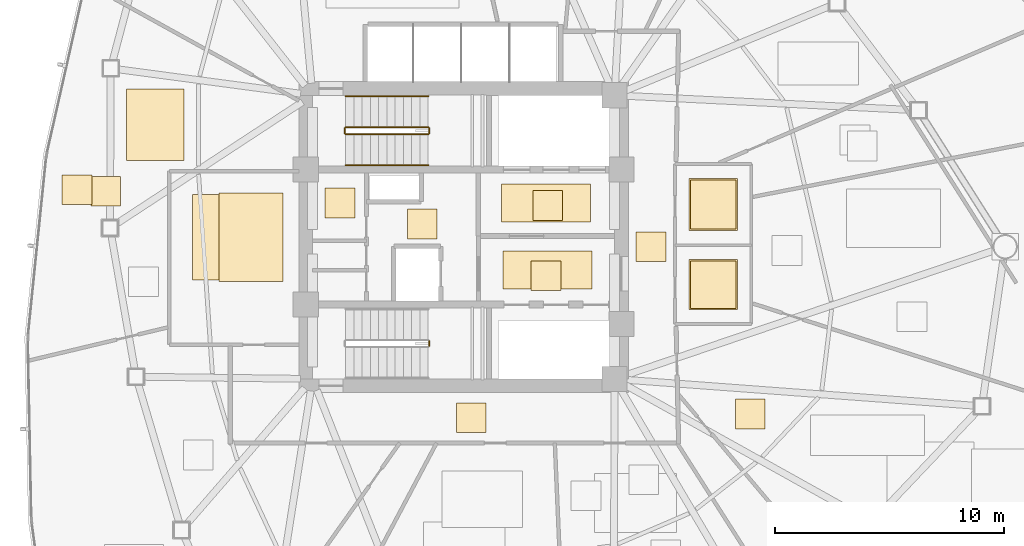
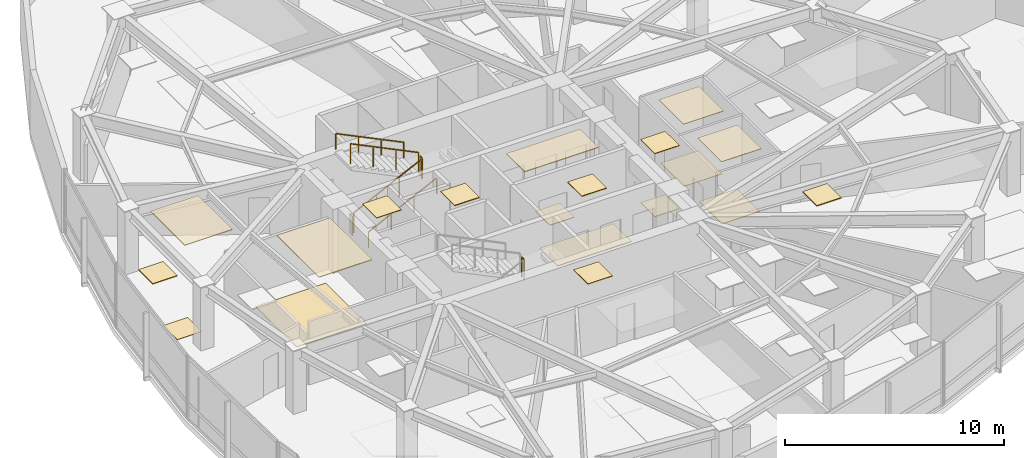
# One storey, part 15 of 17: 19 coverings, 7 railings.
"""IFC4 building model written with IfcOpenShell, lengths in metres."""

from ifc_helpers import new_model, si_unit, direction, frame, origin, origin_2d, place, context, subcontext, project, spatial, polyline, rectangle, outline, extrude, material, layer, layer_set, type_object, element, save


model = new_model("IFC4")

# Units and contexts
model_context = context("Model", 3, precision=1e-05, world=origin(), true_north=direction((0.0, 1.0)))
body_context = subcontext(model_context, "Body", "Model", "MODEL_VIEW")
ifc_project = project(units=[si_unit("LENGTHUNIT", "METRE"), si_unit("AREAUNIT", "SQUARE_METRE"), si_unit("VOLUMEUNIT", "CUBIC_METRE"), si_unit("PLANEANGLEUNIT", "RADIAN"), si_unit("MASSUNIT", "GRAM", prefix="KILO")], contexts=[model_context])

# Site, building, storey
site_placement = place(None, origin())
site = spatial("IfcSite", under=ifc_project, at=site_placement, CompositionType="ELEMENT")
building_placement = place(site_placement, origin())
building = spatial("IfcBuilding", under=site, at=building_placement, Name="Tavelor Broadcast Tower", CompositionType="ELEMENT")
storey_placement = place(building_placement, frame((0.0, 0.0, 119.449951171875)))
storey = spatial("IfcBuildingStorey", under=building, at=storey_placement, Name="L27", CompositionType="ELEMENT", Elevation=119.449951171875)

# Coverings
ifc_material_1 = material(Name="Copper-Bronze Anodized Aluminium", Category="aluminium")
ifc_layer_1 = layer(ifc_material_1, 0.044921875)
ifc_layer_set_1 = layer_set([ifc_layer_1], Name="Copper-Bronze Anodized Aluminium")
covering_type_1 = type_object("IfcCoveringType", Name="Anodised Bronze Linear Slatted Concourse Ceiling 45 mm", PredefinedType="CEILING", material=ifc_layer_set_1)
covering_1_placement = place(storey_placement, frame((0.0, 0.0, 3.505126953125)))
element("IfcCovering", 1, at=covering_1_placement, inside=storey, type_object=covering_type_1, Name="L27 Suspended Acoustic Ceiling 1048", PredefinedType="CEILING", context=body_context, shape_type="SweptSolid", body=[
    extrude(outline(polyline([(51.659912109375, 45.654296875), (55.55712890625, 45.654296875), (55.55712890625, 47.331787109375), (51.659912109375, 47.331787109375), (51.659912109375, 45.654296875)])), origin(), (0.0, 0.0, 1.0), 0.044921875),
])
covering_2_placement = place(storey_placement, frame((0.0, 0.0, 3.505126953125)))
element("IfcCovering", 2, at=covering_2_placement, inside=storey, type_object=covering_type_1, Name="L27 Suspended Acoustic Ceiling 1049", PredefinedType="CEILING", context=body_context, shape_type="SweptSolid", body=[
    extrude(outline(polyline([(52.95361328125, 42.656982421875), (54.25341796875, 42.656982421875), (54.25341796875, 43.95703125), (52.95361328125, 43.95703125), (52.95361328125, 42.656982421875)])), origin(), (0.0, 0.0, 1.0), 0.044921875),
])
covering_3_placement = place(storey_placement, frame((0.0, 0.0, 3.505126953125)))
element("IfcCovering", 3, at=covering_3_placement, inside=storey, type_object=covering_type_1, Name="L27 Suspended Acoustic Ceiling 1050", PredefinedType="CEILING", context=body_context, shape_type="SweptSolid", body=[
    extrude(outline(polyline([(47.544921875, 44.919921875), (48.844970703125, 44.919921875), (48.844970703125, 46.219970703125), (47.544921875, 46.219970703125), (47.544921875, 44.919921875)])), origin(), (0.0, 0.0, 1.0), 0.044921875),
])

# Railings
ifc_material_2 = material(Name="Steel S355", Category="steel")
railing_type_1 = type_object("IfcRailingType", Name="Continuous Brushed Stainless Handrail 900 mm", PredefinedType="HANDRAIL", material=ifc_material_2)
railing_1_placement = place(storey_placement, frame((44.85009765625, 48.14990234375, 0.175048828125)))
element("IfcRailing", 4, at=railing_1_placement, inside=storey, type_object=railing_type_1, Name="L27 ST1 stair handrail 1", PredefinedType="HANDRAIL", context=body_context, shape_type="SweptSolid", body=[
    extrude(rectangle(XDim=0.048095703125, YDim=0.048095703125, at=origin_2d()), frame((0.0, 0.0, 0.8759765625), z_axis=(0.899360859046, 0.0, 0.437207096483), x_axis=(0.0, 1.0, 0.0)), (0.0, 0.0, 1.0), 4.002685546875),
    extrude(rectangle(XDim=0.0419921875, YDim=0.0419921875, at=origin_2d()), origin(), (0.0, 0.0, 1.0), 0.851806640625),
    extrude(rectangle(XDim=0.0419921875, YDim=0.0419921875, at=origin_2d()), frame((1.199951171875, 0.0, 0.583251953125)), (0.0, 0.0, 1.0), 0.851806640625),
    extrude(rectangle(XDim=0.0419921875, YDim=0.0419921875, at=origin_2d()), frame((2.39990234375, 0.0, 1.166748046875)), (0.0, 0.0, 1.0), 0.851806640625),
    extrude(rectangle(XDim=0.0419921875, YDim=0.0419921875, at=origin_2d()), frame((3.599853515625, 0.0, 1.75)), (0.0, 0.0, 1.0), 0.851806640625),
])
railing_2_placement = place(storey_placement, frame((48.449951171875, 51.14990234375, 2.10009765625)))
element("IfcRailing", 5, at=railing_2_placement, inside=storey, type_object=railing_type_1, Name="L27 ST1 stair handrail 2", PredefinedType="HANDRAIL", context=body_context, shape_type="SweptSolid", body=[
    extrude(rectangle(XDim=0.048095703125, YDim=0.048095703125, at=origin_2d()), frame((0.0, 0.0, 0.8759765625), z_axis=(-0.899360859046, 0.0, 0.437207096483), x_axis=(0.0, -1.0, 0.0)), (0.0, 0.0, 1.0), 4.002685546875),
    extrude(rectangle(XDim=0.0419921875, YDim=0.0419921875, at=origin_2d()), origin(), (0.0, 0.0, 1.0), 0.851806640625),
    extrude(rectangle(XDim=0.0419921875, YDim=0.0419921875, at=origin_2d()), frame((-1.199951171875, 0.0, 0.583251953125)), (0.0, 0.0, 1.0), 0.851806640625),
    extrude(rectangle(XDim=0.0419921875, YDim=0.0419921875, at=origin_2d()), frame((-2.39990234375, 0.0, 1.166748046875)), (0.0, 0.0, 1.0), 0.851806640625),
    extrude(rectangle(XDim=0.0419921875, YDim=0.0419921875, at=origin_2d()), frame((-3.599853515625, 0.0, 1.75)), (0.0, 0.0, 1.0), 0.851806640625),
])

# Coverings
ifc_material_3 = material(Name="Architectural Anodized Aluminium", Category="aluminium")
ifc_layer_2 = layer(ifc_material_3, 0.034912109375)
ifc_layer_set_2 = layer_set([ifc_layer_2], Name="Architectural Anodized Aluminium")
covering_type_2 = type_object("IfcCoveringType", Name="Demountable Metal Tile Corridor Ceiling 35 mm", PredefinedType="CEILING", material=ifc_layer_set_2)
covering_4_placement = place(storey_placement, frame((0.0, 0.0, 3.51513671875)))
element("IfcCovering", 6, at=covering_4_placement, inside=storey, type_object=covering_type_2, Name="L27 Suspended Acoustic Ceiling 1052", PredefinedType="CEILING", context=body_context, shape_type="SweptSolid", body=[
    extrude(outline(polyline([(57.5400390625, 43.925048828125), (58.840087890625, 43.925048828125), (58.840087890625, 45.22509765625), (57.5400390625, 45.22509765625), (57.5400390625, 43.925048828125)])), origin(), (0.0, 0.0, 1.0), 0.034912109375),
])
covering_5_placement = place(storey_placement, frame((0.0, 0.0, 3.51513671875)))
element("IfcCovering", 7, at=covering_5_placement, inside=storey, type_object=covering_type_2, Name="L27 Suspended Acoustic Ceiling 1053", PredefinedType="CEILING", context=body_context, shape_type="SweptSolid", body=[
    extrude(outline(polyline([(49.689208984375, 36.449951171875), (50.9892578125, 36.449951171875), (50.9892578125, 37.75), (49.689208984375, 37.75), (49.689208984375, 36.449951171875)])), origin(), (0.0, 0.0, 1.0), 0.034912109375),
])
ifc_material_4 = material(Name="Acoustic Nylon Carpet Tile")
ifc_layer_3 = layer(ifc_material_4, 0.02001953125)
ifc_layer_set_3 = layer_set([ifc_layer_3], Name="Acoustic Nylon Carpet Tile")
covering_type_3 = type_object("IfcCoveringType", Name="Heavy-Duty Acoustic Broadcast Carpet Tile 20 mm", PredefinedType="FLOORING", material=ifc_layer_set_3)
covering_6_placement = place(storey_placement, origin())
element("IfcCovering", 8, at=covering_6_placement, inside=storey, type_object=covering_type_3, Name="L27 Broadcast Floor Finish 0368", PredefinedType="FLOORING", context=body_context, shape_type="SweptSolid", body=[
    extrude(outline(polyline([(57.5400390625, 43.925048828125), (58.840087890625, 43.925048828125), (58.840087890625, 45.22509765625), (57.5400390625, 45.22509765625), (57.5400390625, 43.925048828125)])), origin(), (0.0, 0.0, 1.0), 0.02001953125),
])
covering_7_placement = place(storey_placement, origin())
element("IfcCovering", 9, at=covering_7_placement, inside=storey, type_object=covering_type_3, Name="L27 Broadcast Floor Finish 0369", PredefinedType="FLOORING", context=body_context, shape_type="SweptSolid", body=[
    extrude(outline(polyline([(38.143798828125, 43.12890625), (41.856201171875, 43.12890625), (41.856201171875, 46.87060546875), (38.143798828125, 46.87060546875), (38.143798828125, 43.12890625)])), origin(), (0.0, 0.0, 1.0), 0.02001953125),
])
covering_8_placement = place(storey_placement, origin())
element("IfcCovering", 10, at=covering_8_placement, inside=storey, type_object=covering_type_3, Name="L27 Broadcast Floor Finish 0376", PredefinedType="FLOORING", context=body_context, shape_type="SweptSolid", body=[
    extrude(outline(polyline([(33.70751953125, 46.3603515625), (35.00732421875, 46.3603515625), (35.00732421875, 47.660400390625), (33.70751953125, 47.660400390625), (33.70751953125, 46.3603515625)])), origin(), (0.0, 0.0, 1.0), 0.02001953125),
])
ifc_material_5 = material(Name="Honed Natural Limestone Tile", Category="masonry")
ifc_layer_4 = layer(ifc_material_5, 0.030029296875)
ifc_layer_set_4 = layer_set([ifc_layer_4], Name="Honed Natural Limestone Tile")
covering_type_4 = type_object("IfcCoveringType", Name="Honed Jerusalem Limestone Concourse Flooring 30 mm", PredefinedType="FLOORING", material=ifc_layer_set_4)
covering_9_placement = place(storey_placement, origin())
element("IfcCovering", 11, at=covering_9_placement, inside=storey, type_object=covering_type_4, Name="L27 Broadcast Floor Finish 0366", PredefinedType="FLOORING", context=body_context, shape_type="SweptSolid", body=[
    extrude(outline(polyline([(53.030029296875, 45.728515625), (54.330078125, 45.728515625), (54.330078125, 47.028564453125), (53.030029296875, 47.028564453125), (53.030029296875, 45.728515625)])), origin(), (0.0, 0.0, 1.0), 0.030029296875),
])
covering_10_placement = place(storey_placement, origin())
element("IfcCovering", 12, at=covering_10_placement, inside=storey, type_object=covering_type_4, Name="L27 Broadcast Floor Finish 0367", PredefinedType="FLOORING", context=body_context, shape_type="SweptSolid", body=[
    extrude(outline(polyline([(51.728759765625, 42.743408203125), (55.62109375, 42.743408203125), (55.62109375, 44.396484375), (51.728759765625, 44.396484375), (51.728759765625, 42.743408203125)])), origin(), (0.0, 0.0, 1.0), 0.030029296875),
])
ifc_layer_5 = layer(ifc_material_3, 0.030029296875)
ifc_layer_set_5 = layer_set([ifc_layer_5], Name="Architectural Anodized Aluminium")
covering_type_5 = type_object("IfcCoveringType", Name="Moisture-Resistant Washroom Ceiling 30 mm", PredefinedType="CEILING", material=ifc_layer_set_5)
covering_11_placement = place(storey_placement, frame((0.0, 0.0, 3.52001953125)))
element("IfcCovering", 13, at=covering_11_placement, inside=storey, type_object=covering_type_5, Name="L27 Suspended Acoustic Ceiling 1051", PredefinedType="CEILING", context=body_context, shape_type="SweptSolid", body=[
    extrude(outline(polyline([(43.951416015625, 45.843017578125), (45.25146484375, 45.843017578125), (45.25146484375, 47.14306640625), (43.951416015625, 47.14306640625), (43.951416015625, 45.843017578125)])), origin(), (0.0, 0.0, 1.0), 0.030029296875),
])
covering_12_placement = place(storey_placement, frame((0.0, 0.0, 3.52001953125)))
element("IfcCovering", 14, at=covering_12_placement, inside=storey, type_object=covering_type_5, Name="L27 Suspended Acoustic Ceiling 1055", PredefinedType="CEILING", context=body_context, shape_type="SweptSolid", body=[
    extrude(outline(polyline([(59.85302734375, 41.828369140625), (61.967041015625, 41.828369140625), (61.967041015625, 44.021484375), (59.85302734375, 44.021484375), (59.85302734375, 41.828369140625)])), origin(), (0.0, 0.0, 1.0), 0.030029296875),
])
covering_13_placement = place(storey_placement, frame((0.0, 0.0, 3.52001953125)))
element("IfcCovering", 15, at=covering_13_placement, inside=storey, type_object=covering_type_5, Name="L27 Suspended Acoustic Ceiling 1056", PredefinedType="CEILING", context=body_context, shape_type="SweptSolid", body=[
    extrude(outline(polyline([(59.85302734375, 45.29248046875), (61.967041015625, 45.29248046875), (61.967041015625, 47.5576171875), (59.85302734375, 47.5576171875), (59.85302734375, 45.29248046875)])), origin(), (0.0, 0.0, 1.0), 0.030029296875),
])
ifc_material_6 = material(Name="Slip-Resistant Porcelain Tile")
ifc_layer_6 = layer(ifc_material_6, 0.02490234375)
ifc_layer_set_6 = layer_set([ifc_layer_6], Name="Slip-Resistant Porcelain Tile")
covering_type_6 = type_object("IfcCoveringType", Name="Slip-Resistant Porcelain Wet-Area Floor Tile 25 mm", PredefinedType="FLOORING", material=ifc_layer_set_6)
covering_14_placement = place(storey_placement, origin())
element("IfcCovering", 16, at=covering_14_placement, inside=storey, type_object=covering_type_6, Name="L27 Broadcast Floor Finish 0370", PredefinedType="FLOORING", context=body_context, shape_type="SweptSolid", body=[
    extrude(outline(polyline([(59.91064453125, 41.885986328125), (61.909423828125, 41.885986328125), (61.909423828125, 43.964111328125), (59.91064453125, 43.964111328125), (59.91064453125, 41.885986328125)])), origin(), (0.0, 0.0, 1.0), 0.025146484375),
])
covering_15_placement = place(storey_placement, origin())
element("IfcCovering", 17, at=covering_15_placement, inside=storey, type_object=covering_type_6, Name="L27 Broadcast Floor Finish 0371", PredefinedType="FLOORING", context=body_context, shape_type="SweptSolid", body=[
    extrude(outline(polyline([(59.91064453125, 45.35009765625), (61.909423828125, 45.35009765625), (61.909423828125, 47.5), (59.91064453125, 47.5), (59.91064453125, 45.35009765625)])), origin(), (0.0, 0.0, 1.0), 0.025146484375),
])

# Railings
railing_type_2 = type_object("IfcRailingType", Name="Stairwell Steel Safety Guardrail 1150 mm", PredefinedType="GUARDRAIL", material=ifc_material_2)
railing_3_placement = place(storey_placement, frame((44.85009765625, 49.5, 0.175048828125)))
element("IfcRailing", 18, at=railing_3_placement, inside=storey, type_object=railing_type_2, Name="L27 ST1 stair guard 1", PredefinedType="GUARDRAIL", context=body_context, shape_type="SweptSolid", body=[
    extrude(rectangle(XDim=0.048095703125, YDim=0.048095703125, at=origin_2d()), frame((0.0, 0.0, 1.1259765625), z_axis=(0.899360859046, 0.0, 0.437207096483), x_axis=(0.0, 1.0, 0.0)), (0.0, 0.0, 1.0), 4.002685546875),
    extrude(rectangle(XDim=0.0419921875, YDim=0.0419921875, at=origin_2d()), origin(), (0.0, 0.0, 1.0), 1.101806640625),
    extrude(rectangle(XDim=0.0419921875, YDim=0.0419921875, at=origin_2d()), frame((1.199951171875, 0.0, 0.583251953125)), (0.0, 0.0, 1.0), 1.101806640625),
    extrude(rectangle(XDim=0.0419921875, YDim=0.0419921875, at=origin_2d()), frame((2.39990234375, 0.0, 1.166748046875)), (0.0, 0.0, 1.0), 1.101806640625),
    extrude(rectangle(XDim=0.0419921875, YDim=0.0419921875, at=origin_2d()), frame((3.599853515625, 0.0, 1.75)), (0.0, 0.0, 1.0), 1.101806640625),
])
railing_4_placement = place(storey_placement, frame((48.5, 49.550048828125, 1.925048828125)))
element("IfcRailing", 19, at=railing_4_placement, inside=storey, type_object=railing_type_2, Name="L27 ST1 stair guard 2", PredefinedType="GUARDRAIL", context=body_context, shape_type="SweptSolid", body=[
    extrude(rectangle(XDim=0.048095703125, YDim=0.048095703125, at=origin_2d()), frame((0.0, 0.0, 1.1259765625), z_axis=(0.0, 1.0, 0.0), x_axis=(-1.0, 0.0, 0.0)), (0.0, 0.0, 1.0), 0.199951171875),
    extrude(rectangle(XDim=0.0419921875, YDim=0.0419921875, at=origin_2d()), origin(), (0.0, 0.0, 1.0), 1.101806640625),
    extrude(rectangle(XDim=0.0419921875, YDim=0.0419921875, at=origin_2d()), frame((0.0, 0.199951171875, 0.0)), (0.0, 0.0, 1.0), 1.101806640625),
])
railing_5_placement = place(storey_placement, frame((48.449951171875, 49.800048828125, 2.10009765625)))
element("IfcRailing", 20, at=railing_5_placement, inside=storey, type_object=railing_type_2, Name="L27 ST1 stair guard 3", PredefinedType="GUARDRAIL", context=body_context, shape_type="SweptSolid", body=[
    extrude(rectangle(XDim=0.048095703125, YDim=0.048095703125, at=origin_2d()), frame((0.0, 0.0, 1.1259765625), z_axis=(-0.899360859046, 0.0, 0.437207096483), x_axis=(0.0, -1.0, 0.0)), (0.0, 0.0, 1.0), 4.002685546875),
    extrude(rectangle(XDim=0.0419921875, YDim=0.0419921875, at=origin_2d()), origin(), (0.0, 0.0, 1.0), 1.101806640625),
    extrude(rectangle(XDim=0.0419921875, YDim=0.0419921875, at=origin_2d()), frame((-1.199951171875, 0.0, 0.583251953125)), (0.0, 0.0, 1.0), 1.101806640625),
    extrude(rectangle(XDim=0.0419921875, YDim=0.0419921875, at=origin_2d()), frame((-2.39990234375, 0.0, 1.166748046875)), (0.0, 0.0, 1.0), 1.101806640625),
    extrude(rectangle(XDim=0.0419921875, YDim=0.0419921875, at=origin_2d()), frame((-3.599853515625, 0.0, 1.75)), (0.0, 0.0, 1.0), 1.101806640625),
])
for number, where, name in (
    (21, (44.800048828125, 49.550048828125, 0.0), "L27 ST1 stair guard 4"),
    (22, (48.5, 40.25, 1.925048828125), "L27 ST2 stair guard 2"),
):
    element("IfcRailing", number, at=place(storey_placement, frame(where)), inside=storey, type_object=railing_type_2, Name=name, PredefinedType="GUARDRAIL", context=body_context, shape_type="SweptSolid", body=[
        extrude(rectangle(XDim=0.048095703125, YDim=0.048095703125, at=origin_2d()), frame((0.0, 0.0, 1.1259765625), z_axis=(0.0, 1.0, 0.0), x_axis=(-1.0, 0.0, 0.0)), (0.0, 0.0, 1.0), 0.199951171875),
        extrude(rectangle(XDim=0.0419921875, YDim=0.0419921875, at=origin_2d()), origin(), (0.0, 0.0, 1.0), 1.101806640625),
        extrude(rectangle(XDim=0.0419921875, YDim=0.0419921875, at=origin_2d()), frame((0.0, 0.199951171875, 0.0)), (0.0, 0.0, 1.0), 1.101806640625),
    ])

# Coverings
ifc_material_7 = material(Name="Acoustic Mineral Fibre Tile")
ifc_layer_7 = layer(ifc_material_7, 0.0400390625)
ifc_layer_set_7 = layer_set([ifc_layer_7], Name="Acoustic Mineral Fibre Tile")
covering_type_7 = type_object("IfcCoveringType", Name="Suspended Acoustic Mineral-Fibre Office Ceiling 40 mm", PredefinedType="CEILING", material=ifc_layer_set_7)
covering_16_placement = place(storey_placement, frame((0.0, 0.0, 3.510009765625)))
element("IfcCovering", 23, at=covering_16_placement, inside=storey, type_object=covering_type_7, Name="L27 Suspended Acoustic Ceiling 1054", PredefinedType="CEILING", context=body_context, shape_type="SweptSolid", body=[
    extrude(outline(polyline([(39.2998046875, 43.0712890625), (42.111328125, 43.0712890625), (42.111328125, 46.927978515625), (39.2998046875, 46.927978515625), (39.2998046875, 43.0712890625)])), origin(), (0.0, 0.0, 1.0), 0.0400390625),
])
covering_17_placement = place(storey_placement, frame((0.0, 0.0, 3.510009765625)))
element("IfcCovering", 24, at=covering_17_placement, inside=storey, type_object=covering_type_7, Name="L27 Suspended Acoustic Ceiling 1058", PredefinedType="CEILING", context=body_context, shape_type="SweptSolid", body=[
    extrude(outline(polyline([(61.876708984375, 36.61474609375), (63.1767578125, 36.61474609375), (63.1767578125, 37.914794921875), (61.876708984375, 37.914794921875), (61.876708984375, 36.61474609375)])), origin(), (0.0, 0.0, 1.0), 0.0400390625),
])
covering_18_placement = place(storey_placement, frame((0.0, 0.0, 3.510009765625)))
element("IfcCovering", 25, at=covering_18_placement, inside=storey, type_object=covering_type_7, Name="L27 Suspended Acoustic Ceiling 1070", PredefinedType="CEILING", context=body_context, shape_type="SweptSolid", body=[
    extrude(outline(polyline([(32.45263671875, 46.42333984375), (33.752685546875, 46.42333984375), (33.752685546875, 47.723388671875), (32.45263671875, 47.723388671875), (32.45263671875, 46.42333984375)])), origin(), (0.0, 0.0, 1.0), 0.0400390625),
])
covering_19_placement = place(storey_placement, frame((0.0, 0.0, 3.510009765625)))
element("IfcCovering", 26, at=covering_19_placement, inside=storey, type_object=covering_type_7, Name="L27 Suspended Acoustic Ceiling 1071", PredefinedType="CEILING", context=body_context, shape_type="SweptSolid", body=[
    extrude(outline(polyline([(35.260498046875, 48.351318359375), (37.779052734375, 48.351318359375), (37.779052734375, 51.484619140625), (35.260498046875, 51.484619140625), (35.260498046875, 48.351318359375)])), origin(), (0.0, 0.0, 1.0), 0.0400390625),
])

save(model, "model.ifc")
